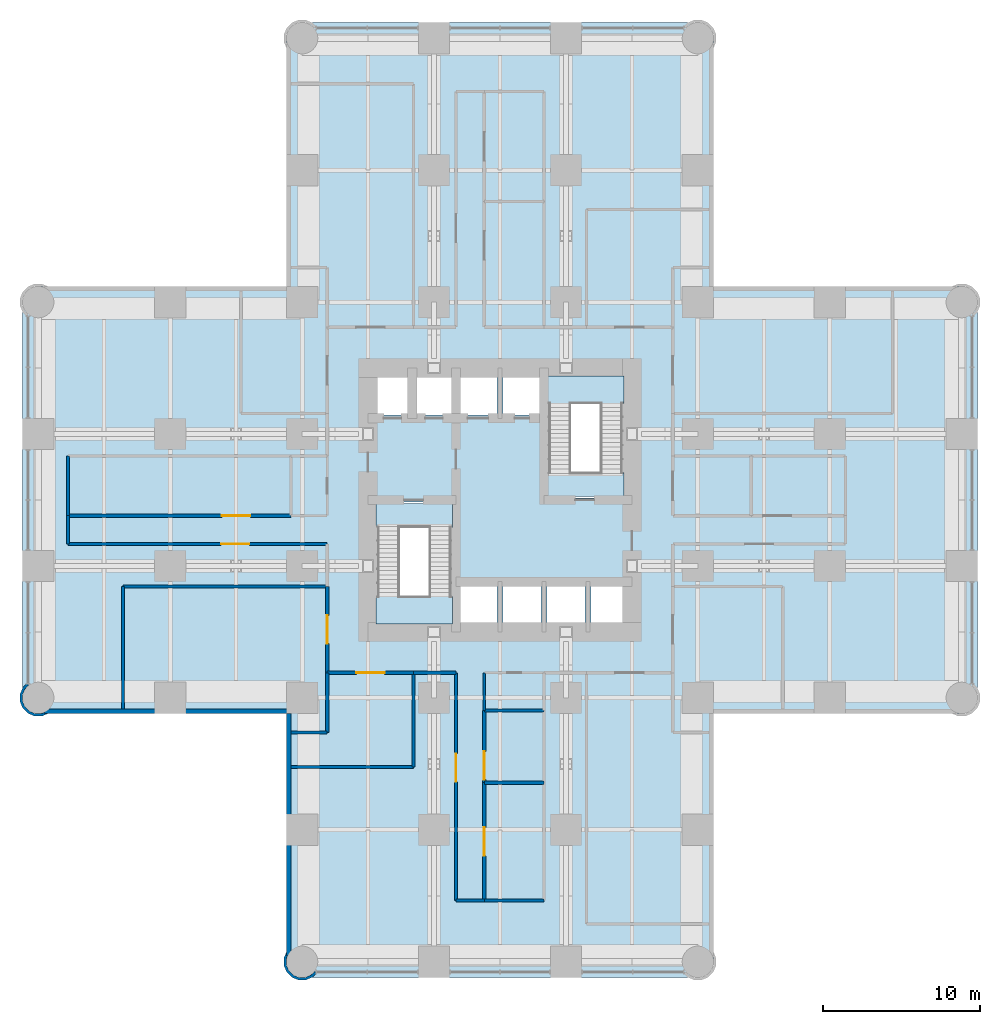
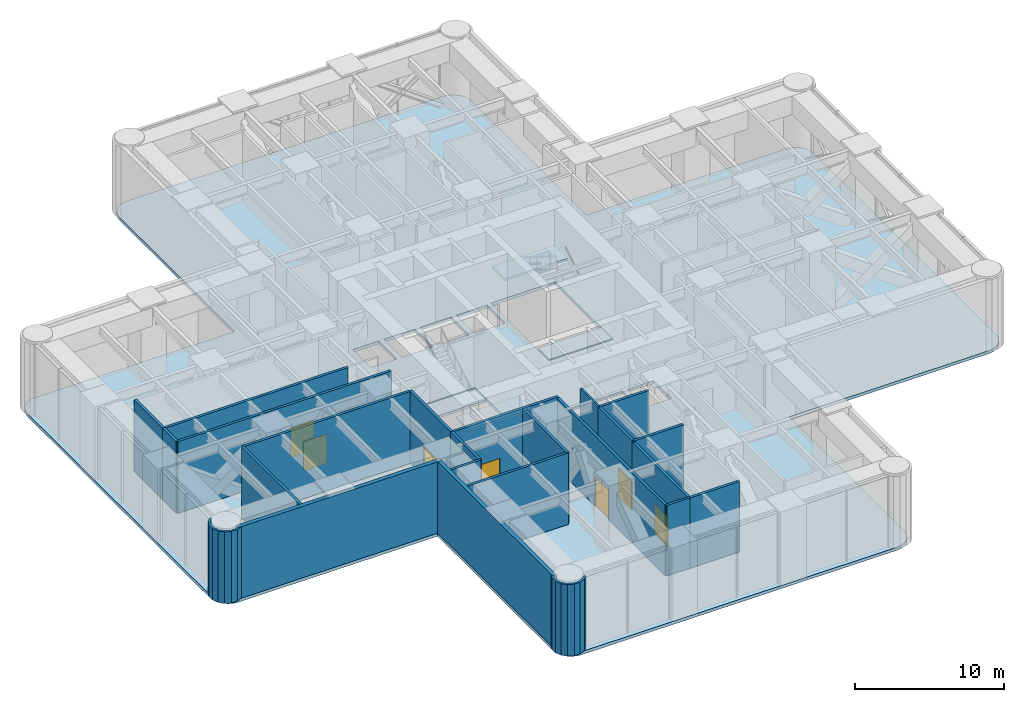
# One storey, part 7 of 12: 25 walls, 7 doors, 5 slabs, 7 openings, 2 elements without a shape of their own.
"""IFC4 building model written with IfcOpenShell, lengths in metres."""

from ifc_helpers import new_model, si_unit, direction, frame, frame_2d, origin, place, context, subcontext, project, spatial, polyline, rectangle, outline, extrude, material, layer, layer_set, type_object, element, fill, aggregate, save


model = new_model("IFC4")

# Units and contexts
model_context = context("Model", 3, precision=1e-05, world=origin(), true_north=direction((0.0, 1.0)))
body_context = subcontext(model_context, "Body", "Model", "MODEL_VIEW")
ifc_project = project(units=[si_unit("LENGTHUNIT", "METRE"), si_unit("AREAUNIT", "SQUARE_METRE"), si_unit("VOLUMEUNIT", "CUBIC_METRE"), si_unit("PLANEANGLEUNIT", "RADIAN"), si_unit("MASSUNIT", "GRAM", prefix="KILO")], contexts=[model_context])

# Site, building, storey
site_placement = place(None, origin())
site = spatial("IfcSite", under=ifc_project, at=site_placement, CompositionType="ELEMENT")
building_placement = place(site_placement, origin())
building = spatial("IfcBuilding", under=site, at=building_placement, Name="Torre Alcanfor", CompositionType="ELEMENT")
storey_placement = place(building_placement, frame((0.0, 0.0, 102.89990234375)))
storey = spatial("IfcBuildingStorey", under=building, at=storey_placement, Name="L26", CompositionType="ELEMENT", Elevation=102.89990234375)

# Slab
ifc_material_1 = material(Name="Concrete f'c 35 MPa", Category="concrete")
ifc_layer_1 = layer(ifc_material_1, 0.25)
ifc_layer_set_1 = layer_set([ifc_layer_1], Name="Floor slab 250")
slab_type_1 = type_object("IfcSlabType", Name="Floor slab 250", PredefinedType="FLOOR", material=ifc_layer_set_1)
slab_1_placement = place(storey_placement, frame((0.0, 0.0, -0.25)))
element("IfcSlab", 1, at=slab_1_placement, inside=storey, type_object=slab_type_1, Name="Floor slab L26", PredefinedType="FLOOR", context=body_context, shape_type="SweptSolid", body=[
    extrude(outline(polyline([(15.800048828125, 43.0), (0.39990234375, 43.0), (0.03759765625, 42.952392578125), (-0.300048828125, 42.8125), (-0.58984375, 42.58984375), (-0.8125, 42.300048828125), (-0.952392578125, 41.96240234375), (-1.0, 41.60009765625), (-1.0, 17.199951171875), (-0.952392578125, 16.837646484375), (-0.8125, 16.5), (-0.58984375, 16.210205078125), (-0.300048828125, 15.987548828125), (0.03759765625, 15.84765625), (0.39990234375, 15.800048828125), (15.800048828125, 15.800048828125), (15.800048828125, 0.39990234375), (15.84765625, 0.03759765625), (15.987548828125, -0.300048828125), (16.210205078125, -0.58984375), (16.5, -0.8125), (16.837646484375, -0.952392578125), (17.199951171875, -1.0), (41.60009765625, -1.0), (41.96240234375, -0.952392578125), (42.300048828125, -0.8125), (42.58984375, -0.58984375), (42.8125, -0.300048828125), (42.952392578125, 0.03759765625), (43.0, 0.39990234375), (43.0, 15.800048828125), (58.39990234375, 15.800048828125), (58.76220703125, 15.84765625), (59.10009765625, 15.987548828125), (59.389892578125, 16.210205078125), (59.6123046875, 16.5), (59.752197265625, 16.837646484375), (59.800048828125, 17.199951171875), (59.800048828125, 41.60009765625), (59.752197265625, 41.96240234375), (59.6123046875, 42.300048828125), (59.389892578125, 42.58984375), (59.10009765625, 42.8125), (58.76220703125, 42.952392578125), (58.39990234375, 43.0), (43.0, 43.0), (43.0, 58.39990234375), (42.952392578125, 58.76220703125), (42.8125, 59.10009765625), (42.58984375, 59.389892578125), (42.300048828125, 59.6123046875), (41.96240234375, 59.752197265625), (41.60009765625, 59.800048828125), (17.199951171875, 59.800048828125), (16.837646484375, 59.752197265625), (16.5, 59.6123046875), (16.210205078125, 59.389892578125), (15.987548828125, 59.10009765625), (15.84765625, 58.76220703125), (15.800048828125, 58.39990234375), (15.800048828125, 43.0)]), holes=[polyline([(21.52001953125, 21.52001953125), (26.47998046875, 21.52001953125), (26.47998046875, 29.280029296875), (21.52001953125, 29.280029296875), (21.52001953125, 21.52001953125)]), polyline([(32.320068359375, 29.52001953125), (37.280029296875, 29.52001953125), (37.280029296875, 37.280029296875), (32.320068359375, 37.280029296875), (32.320068359375, 29.52001953125)]), polyline([(26.800048828125, 21.60009765625), (29.199951171875, 21.60009765625), (29.199951171875, 24.0), (26.800048828125, 24.0), (26.800048828125, 21.60009765625)]), polyline([(29.60009765625, 21.60009765625), (32.0, 21.60009765625), (32.0, 24.0), (29.60009765625, 24.0), (29.60009765625, 21.60009765625)]), polyline([(32.39990234375, 21.60009765625), (34.800048828125, 21.60009765625), (34.800048828125, 24.0), (32.39990234375, 24.0), (32.39990234375, 21.60009765625)]), polyline([(35.199951171875, 21.60009765625), (37.199951171875, 21.60009765625), (37.199951171875, 24.0), (35.199951171875, 24.0), (35.199951171875, 21.60009765625)]), polyline([(21.60009765625, 34.800048828125), (23.60009765625, 34.800048828125), (23.60009765625, 37.199951171875), (21.60009765625, 37.199951171875), (21.60009765625, 34.800048828125)]), polyline([(24.0, 34.800048828125), (26.39990234375, 34.800048828125), (26.39990234375, 37.199951171875), (24.0, 37.199951171875), (24.0, 34.800048828125)]), polyline([(26.800048828125, 34.800048828125), (29.199951171875, 34.800048828125), (29.199951171875, 37.199951171875), (26.800048828125, 37.199951171875), (26.800048828125, 34.800048828125)]), polyline([(29.60009765625, 34.800048828125), (32.0, 34.800048828125), (32.0, 37.199951171875), (29.60009765625, 37.199951171875), (29.60009765625, 34.800048828125)])]), origin(), (0.0, 0.0, 1.0), 0.25),
])

# Stair, slabs
ifc_material_2 = material(Name="Concrete f'c 35 MPa", Category="concrete")
stair_type_1 = type_object("IfcStairType", Name="Exit stair S1 1400 wide", PredefinedType="HALF_TURN_STAIR", material=ifc_material_2)
stair_1_placement = place(storey_placement, origin())
stair_1 = element("IfcStair", 2, at=stair_1_placement, inside=storey, type_object=stair_type_1, Name="Stair S1 L26 to L27", PredefinedType="HALF_TURN_STAIR")
ifc_material_3 = material(Name="Concrete f'c 35 MPa", Category="concrete")
ifc_layer_2 = layer(ifc_material_3, 0.199951171875)
ifc_layer_set_2 = layer_set([ifc_layer_2], Name="Stair landing 200")
slab_type_2 = type_object("IfcSlabType", Name="Stair landing 200", PredefinedType="LANDING", material=ifc_layer_set_2)
slab_2_placement = place(storey_placement, frame((0.0, 0.0, -0.199951171875)))
slab_2 = element("IfcSlab", 3, at=slab_2_placement, type_object=slab_type_2, Name="S1 landing 1", PredefinedType="LANDING", context=body_context, shape_type="SweptSolid", body=[
    extrude(outline(polyline([(21.52001953125, 27.64990234375), (26.3798828125, 27.64990234375), (26.3798828125, 29.179931640625), (21.52001953125, 29.179931640625), (21.52001953125, 27.64990234375)])), origin(), (0.0, 0.0, 1.0), 0.199951171875),
])
slab_3_placement = place(storey_placement, frame((0.0, 0.0, 2.800048828125)))
slab_3 = element("IfcSlab", 4, at=slab_3_placement, type_object=slab_type_2, Name="S1 landing 2", PredefinedType="LANDING", context=body_context, shape_type="SweptSolid", body=[
    extrude(outline(polyline([(21.52001953125, 21.52001953125), (26.3798828125, 21.52001953125), (26.3798828125, 23.27001953125), (21.52001953125, 23.27001953125), (21.52001953125, 21.52001953125)])), origin(), (0.0, 0.0, 1.0), 0.199951171875),
])
aggregate(stair_1, [slab_2, slab_3])

ifc_material_4 = material(Name="Concrete f'c 35 MPa", Category="concrete")
stair_type_2 = type_object("IfcStairType", Name="Exit stair S2 1400 wide", PredefinedType="HALF_TURN_STAIR", material=ifc_material_4)
stair_2_placement = place(storey_placement, origin())
stair_2 = element("IfcStair", 5, at=stair_2_placement, inside=storey, type_object=stair_type_2, Name="Stair S2 L26 to L27", PredefinedType="HALF_TURN_STAIR")
slab_4_placement = place(storey_placement, frame((0.0, 0.0, -0.199951171875)))
slab_4 = element("IfcSlab", 6, at=slab_4_placement, type_object=slab_type_2, Name="S2 landing 1", PredefinedType="LANDING", context=body_context, shape_type="SweptSolid", body=[
    extrude(outline(polyline([(32.419921875, 29.6201171875), (37.280029296875, 29.6201171875), (37.280029296875, 31.14990234375), (32.419921875, 31.14990234375), (32.419921875, 29.6201171875)])), origin(), (0.0, 0.0, 1.0), 0.199951171875),
])
slab_5_placement = place(storey_placement, frame((0.0, 0.0, 2.800048828125)))
slab_5 = element("IfcSlab", 7, at=slab_5_placement, type_object=slab_type_2, Name="S2 landing 2", PredefinedType="LANDING", context=body_context, shape_type="SweptSolid", body=[
    extrude(outline(polyline([(32.419921875, 35.530029296875), (37.280029296875, 35.530029296875), (37.280029296875, 37.280029296875), (32.419921875, 37.280029296875), (32.419921875, 35.530029296875)])), origin(), (0.0, 0.0, 1.0), 0.199951171875),
])
aggregate(stair_2, [slab_4, slab_5])

# Walls
ifc_material_5 = material(Name="Limestone cladding", Category="masonry")
ifc_layer_3 = layer(ifc_material_5, 0.0400390625, Name="Facing")
ifc_material_6 = material(Name="Ventilated air cavity")
ifc_layer_4 = layer(ifc_material_6, 0.02001953125, ventilated=True, Name="Ventilated joint")
ifc_material_7 = material(Name="Mineral wool insulation", Category="insulation")
ifc_layer_5 = layer(ifc_material_7, 0.10009765625, Name="Insulation")
ifc_material_8 = material(Name="Concrete f'c 35 MPa", Category="concrete")
ifc_layer_6 = layer(ifc_material_8, 0.139892578125, Name="Backing")
ifc_layer_set_3 = layer_set([ifc_layer_3, ifc_layer_4, ifc_layer_5, ifc_layer_6], Name="External wall stone-clad 300")
wall_type_1 = type_object("IfcWallType", Name="External wall stone-clad 300", PredefinedType="SOLIDWALL", material=ifc_layer_set_3)
wall_1_placement = place(storey_placement, frame((0.39990234375, 15.949951171875, 0.0), z_axis=(0.0, 0.0, 1.0), x_axis=(1.0, 0.0, 0.0)))
element("IfcWall", 8, at=wall_1_placement, inside=storey, type_object=wall_type_1, Name="External wall L26 3", PredefinedType="SOLIDWALL", context=body_context, shape_type="SweptSolid", body=[
    extrude(rectangle(XDim=15.7001953125, YDim=0.300048828125, at=frame_2d((7.85009765625, 0.0))), origin(), (0.0, 0.0, 1.0), 5.85009765625),
])
wall_2_placement = place(storey_placement, frame((15.949951171875, 15.800048828125, 0.0), z_axis=(0.0, 0.0, 1.0), x_axis=(0.0, -1.0, 0.0)))
element("IfcWall", 9, at=wall_2_placement, inside=storey, type_object=wall_type_1, Name="External wall L26 4", PredefinedType="SOLIDWALL", context=body_context, shape_type="SweptSolid", body=[
    extrude(rectangle(XDim=15.400146484375, YDim=0.300048828125, at=frame_2d((7.7001953125, 0.0))), origin(), (0.0, 0.0, 1.0), 5.85009765625),
])

# Wall, opening, door
ifc_material_9 = material(Name="Concrete block masonry, hollow blocks NMX-C-404 9 MPa", Category="masonry")
ifc_layer_7 = layer(ifc_material_9, 0.199951171875)
ifc_layer_set_4 = layer_set([ifc_layer_7], Name="Plant room wall 200 EI 60")
wall_type_2 = type_object("IfcWallType", Name="Plant room wall 200 EI 60", PredefinedType="PARTITIONING", material=ifc_layer_set_4)
wall_3_placement = place(storey_placement, frame((23.89990234375, 18.39990234375, 0.0), z_axis=(0.0, 0.0, 1.0), x_axis=(-1.0, 0.0, 0.0)))
wall_3 = element("IfcWall", 10, at=wall_3_placement, inside=storey, type_object=wall_type_2, Name="Partition L26-CORR / L26-S1", PredefinedType="PARTITIONING", context=body_context, shape_type="SweptSolid", body=[
    extrude(rectangle(XDim=5.5, YDim=0.199951171875, at=frame_2d((2.75, 0.0))), origin(), (0.0, 0.0, 1.0), 5.85009765625),
])
opening_1_placement = place(wall_3_placement, frame((1.85009765625, 0.0, 0.0)))
opening_1 = element("IfcOpeningElement", 11, at=opening_1_placement, cuts=wall_3, Name="Opening D-P1", PredefinedType="OPENING", context=body_context, shape_type="SweptSolid", body=[
    extrude(rectangle(XDim=1.800048828125, YDim=2.39990234375, at=frame_2d((0.89990234375, 1.199951171875))), frame((0.0, 0.10986328125, 0.0), z_axis=(0.0, -1.0, 0.0), x_axis=(1.0, 0.0, 0.0)), (0.0, 0.0, 1.0), 0.219970703125),
])
ifc_material_10 = material(Name="Galvanised steel sheet ASTM A653", Category="steel")
door_type = type_object("IfcDoorType", Name="Plant room door FD60 1800x2400", OperationType="DOUBLE_DOOR_SINGLE_SWING", PredefinedType="DOOR", material=ifc_material_10)
door_1_placement = place(opening_1_placement, origin())
door_1 = element("IfcDoor", 12, at=door_1_placement, inside=storey, type_object=door_type, Name="Door L26-S1 chilled water heat exchanger room", OperationType="DOUBLE_DOOR_SINGLE_SWING", OverallHeight=2.39990234375, OverallWidth=1.800048828125, PredefinedType="DOOR", context=body_context, shape_type="SweptSolid", body=[
    extrude(rectangle(XDim=1.800048828125, YDim=2.39990234375, at=frame_2d((0.89990234375, 1.199951171875))), frame((0.0, 0.02490234375, 0.0), z_axis=(0.0, -1.0, 0.0), x_axis=(1.0, 0.0, 0.0)), (0.0, 0.0, 1.0), 0.050048828125),
])
fill(opening_1, door_1)

# Wall
wall_4_placement = place(storey_placement, frame((26.60009765625, 18.39990234375, 0.0), z_axis=(0.0, 0.0, 1.0), x_axis=(-1.0, 0.0, 0.0)))
element("IfcWall", 13, at=wall_4_placement, inside=storey, type_object=wall_type_2, Name="Partition L26-CORR / L26-SH", PredefinedType="PARTITIONING", context=body_context, shape_type="SweptSolid", body=[
    extrude(rectangle(XDim=2.7001953125, YDim=0.199951171875, at=frame_2d((1.35009765625, 0.0))), origin(), (0.0, 0.0, 1.0), 5.85009765625),
])

# Wall, opening, door
wall_5_placement = place(storey_placement, frame((18.39990234375, 18.39990234375, 0.0), z_axis=(0.0, 0.0, 1.0), x_axis=(0.0, 1.0, 0.0)))
wall_5 = element("IfcWall", 14, at=wall_5_placement, inside=storey, type_object=wall_type_2, Name="Partition L26-CORR / L26-W1", PredefinedType="PARTITIONING", context=body_context, shape_type="SweptSolid", body=[
    extrude(rectangle(XDim=5.5, YDim=0.199951171875, at=frame_2d((2.75, 0.0))), origin(), (0.0, 0.0, 1.0), 5.85009765625),
])
opening_2_placement = place(wall_5_placement, frame((1.85009765625, 0.0, 0.0)))
opening_2 = element("IfcOpeningElement", 15, at=opening_2_placement, cuts=wall_5, Name="Opening D-P1", PredefinedType="OPENING", context=body_context, shape_type="SweptSolid", body=[
    extrude(rectangle(XDim=1.800048828125, YDim=2.39990234375, at=frame_2d((0.89990234375, 1.199951171875))), frame((0.0, 0.10986328125, 0.0), z_axis=(0.0, -1.0, 0.0), x_axis=(1.0, 0.0, 0.0)), (0.0, 0.0, 1.0), 0.219970703125),
])
door_2_placement = place(opening_2_placement, origin())
door_2 = element("IfcDoor", 16, at=door_2_placement, inside=storey, type_object=door_type, Name="Door L26-W1 smoke extract fan plant room", OperationType="DOUBLE_DOOR_SINGLE_SWING", OverallHeight=2.39990234375, OverallWidth=1.800048828125, PredefinedType="DOOR", context=body_context, shape_type="SweptSolid", body=[
    extrude(rectangle(XDim=1.800048828125, YDim=2.39990234375, at=frame_2d((0.89990234375, 1.199951171875))), frame((0.0, 0.02490234375, 0.0), z_axis=(0.0, -1.0, 0.0), x_axis=(1.0, 0.0, 0.0)), (0.0, 0.0, 1.0), 0.050048828125),
])
fill(opening_2, door_2)

# Walls
wall_6_placement = place(storey_placement, frame((23.89990234375, 18.39990234375, 0.0), z_axis=(0.0, 0.0, 1.0), x_axis=(0.0, -1.0, 0.0)))
element("IfcWall", 17, at=wall_6_placement, inside=storey, type_object=wall_type_2, Name="Partition L26-S1 / L26-SH", PredefinedType="PARTITIONING", context=body_context, shape_type="SweptSolid", body=[
    extrude(rectangle(XDim=6.0, YDim=0.199951171875, at=frame_2d((3.0, 0.0))), origin(), (0.0, 0.0, 1.0), 5.85009765625),
])
wall_7_placement = place(storey_placement, frame((23.89990234375, 12.39990234375, 0.0), z_axis=(0.0, 0.0, 1.0), x_axis=(-1.0, 0.0, 0.0)))
element("IfcWall", 18, at=wall_7_placement, inside=storey, type_object=wall_type_2, Name="Partition L26-S1 / L26-SH", PredefinedType="PARTITIONING", context=body_context, shape_type="SweptSolid", body=[
    extrude(rectangle(XDim=7.7998046875, YDim=0.199951171875, at=frame_2d((3.89990234375, 0.0))), origin(), (0.0, 0.0, 1.0), 5.85009765625),
])
wall_8_placement = place(storey_placement, frame((16.10009765625, 14.60009765625, 0.0), z_axis=(0.0, 0.0, 1.0), x_axis=(1.0, 0.0, 0.0)))
element("IfcWall", 19, at=wall_8_placement, inside=storey, type_object=wall_type_2, Name="Partition L26-S1 / L26-W1", PredefinedType="PARTITIONING", context=body_context, shape_type="SweptSolid", body=[
    extrude(rectangle(XDim=2.2998046875, YDim=0.199951171875, at=frame_2d((1.14990234375, 0.0))), origin(), (0.0, 0.0, 1.0), 5.85009765625),
])
wall_9_placement = place(storey_placement, frame((18.39990234375, 14.60009765625, 0.0), z_axis=(0.0, 0.0, 1.0), x_axis=(0.0, 1.0, 0.0)))
element("IfcWall", 20, at=wall_9_placement, inside=storey, type_object=wall_type_2, Name="Partition L26-S1 / L26-W1", PredefinedType="PARTITIONING", context=body_context, shape_type="SweptSolid", body=[
    extrude(rectangle(XDim=3.7998046875, YDim=0.199951171875, at=frame_2d((1.89990234375, 0.0))), origin(), (0.0, 0.0, 1.0), 5.85009765625),
])

# Wall, opening, door
wall_10_placement = place(storey_placement, frame((28.39990234375, 16.0, 0.0), z_axis=(0.0, 0.0, 1.0), x_axis=(0.0, -1.0, 0.0)))
wall_10 = element("IfcWall", 21, at=wall_10_placement, inside=storey, type_object=wall_type_2, Name="Partition L26-SC / L26-S4", PredefinedType="PARTITIONING", context=body_context, shape_type="SweptSolid", body=[
    extrude(rectangle(XDim=4.60009765625, YDim=0.199951171875, at=frame_2d((2.300048828125, 0.0))), origin(), (0.0, 0.0, 1.0), 5.85009765625),
])
opening_3_placement = place(wall_10_placement, frame((2.60009765625, 0.0, 0.0)))
opening_3 = element("IfcOpeningElement", 22, at=opening_3_placement, cuts=wall_10, Name="Opening D-P1", PredefinedType="OPENING", context=body_context, shape_type="SweptSolid", body=[
    extrude(rectangle(XDim=1.800048828125, YDim=2.39990234375, at=frame_2d((0.89990234375, 1.199951171875))), frame((0.0, 0.10986328125, 0.0), z_axis=(0.0, -1.0, 0.0), x_axis=(1.0, 0.0, 0.0)), (0.0, 0.0, 1.0), 0.219970703125),
])
door_3_placement = place(opening_3_placement, origin())
door_3 = element("IfcDoor", 23, at=door_3_placement, inside=storey, type_object=door_type, Name="Door L26-S4 water meter room", OperationType="DOUBLE_DOOR_SINGLE_SWING", OverallHeight=2.39990234375, OverallWidth=1.800048828125, PredefinedType="DOOR", context=body_context, shape_type="SweptSolid", body=[
    extrude(rectangle(XDim=1.800048828125, YDim=2.39990234375, at=frame_2d((0.89990234375, 1.199951171875))), frame((0.0, 0.02490234375, 0.0), z_axis=(0.0, -1.0, 0.0), x_axis=(1.0, 0.0, 0.0)), (0.0, 0.0, 1.0), 0.050048828125),
])
fill(opening_3, door_3)

wall_11_placement = place(storey_placement, frame((28.39990234375, 11.39990234375, 0.0), z_axis=(0.0, 0.0, 1.0), x_axis=(0.0, -1.0, 0.0)))
wall_11 = element("IfcWall", 24, at=wall_11_placement, inside=storey, type_object=wall_type_2, Name="Partition L26-SC / L26-S5", PredefinedType="PARTITIONING", context=body_context, shape_type="SweptSolid", body=[
    extrude(rectangle(XDim=7.5, YDim=0.199951171875, at=frame_2d((3.75, 0.0))), origin(), (0.0, 0.0, 1.0), 5.75),
])
opening_4_placement = place(wall_11_placement, frame((2.85009765625, 0.0, 0.0)))
opening_4 = element("IfcOpeningElement", 25, at=opening_4_placement, cuts=wall_11, Name="Opening D-P1", PredefinedType="OPENING", context=body_context, shape_type="SweptSolid", body=[
    extrude(rectangle(XDim=1.800048828125, YDim=2.39990234375, at=frame_2d((0.89990234375, 1.199951171875))), frame((0.0, 0.10986328125, 0.0), z_axis=(0.0, -1.0, 0.0), x_axis=(1.0, 0.0, 0.0)), (0.0, 0.0, 1.0), 0.219970703125),
])
door_4_placement = place(opening_4_placement, origin())
door_4 = element("IfcDoor", 26, at=door_4_placement, inside=storey, type_object=door_type, Name="Door L26-S5 plant store", OperationType="DOUBLE_DOOR_SINGLE_SWING", OverallHeight=2.39990234375, OverallWidth=1.800048828125, PredefinedType="DOOR", context=body_context, shape_type="SweptSolid", body=[
    extrude(rectangle(XDim=1.800048828125, YDim=2.39990234375, at=frame_2d((0.89990234375, 1.199951171875))), frame((0.0, 0.02490234375, 0.0), z_axis=(0.0, -1.0, 0.0), x_axis=(1.0, 0.0, 0.0)), (0.0, 0.0, 1.0), 0.050048828125),
])
fill(opening_4, door_4)

# Wall
wall_12_placement = place(storey_placement, frame((28.39990234375, 3.89990234375, 0.0), z_axis=(0.0, 0.0, 1.0), x_axis=(-1.0, 0.0, 0.0)))
element("IfcWall", 27, at=wall_12_placement, inside=storey, type_object=wall_type_2, Name="Partition L26-SC / L26-SH", PredefinedType="PARTITIONING", context=body_context, shape_type="SweptSolid", body=[
    extrude(rectangle(XDim=1.7998046875, YDim=0.199951171875, at=frame_2d((0.89990234375, 0.0))), origin(), (0.0, 0.0, 1.0), 5.75),
])

# Wall, opening, door
wall_13_placement = place(storey_placement, frame((26.60009765625, 3.89990234375, 0.0), z_axis=(0.0, 0.0, 1.0), x_axis=(0.0, 1.0, 0.0)))
wall_13 = element("IfcWall", 28, at=wall_13_placement, inside=storey, type_object=wall_type_2, Name="Partition L26-SC / L26-SH", PredefinedType="PARTITIONING", context=body_context, shape_type="SweptSolid", body=[
    extrude(rectangle(XDim=14.5, YDim=0.199951171875, at=frame_2d((7.25, 0.0))), origin(), (0.0, 0.0, 1.0), 5.75),
])
opening_5_placement = place(wall_13_placement, frame((7.550048828125, 0.0, 0.0)))
opening_5 = element("IfcOpeningElement", 29, at=opening_5_placement, cuts=wall_13, Name="Opening D-P1", PredefinedType="OPENING", context=body_context, shape_type="SweptSolid", body=[
    extrude(rectangle(XDim=1.800048828125, YDim=2.39990234375, at=frame_2d((0.89990234375, 1.199951171875))), frame((0.0, 0.10986328125, 0.0), z_axis=(0.0, -1.0, 0.0), x_axis=(1.0, 0.0, 0.0)), (0.0, 0.0, 1.0), 0.219970703125),
])
door_5_placement = place(opening_5_placement, origin())
door_5 = element("IfcDoor", 30, at=door_5_placement, inside=storey, type_object=door_type, Name="Door L26-SH air handling plant room", OperationType="DOUBLE_DOOR_SINGLE_SWING", OverallHeight=2.39990234375, OverallWidth=1.800048828125, PredefinedType="DOOR", context=body_context, shape_type="SweptSolid", body=[
    extrude(rectangle(XDim=1.800048828125, YDim=2.39990234375, at=frame_2d((0.89990234375, 1.199951171875))), frame((0.0, 0.02490234375, 0.0), z_axis=(0.0, -1.0, 0.0), x_axis=(1.0, 0.0, 0.0)), (0.0, 0.0, 1.0), 0.050048828125),
])
fill(opening_5, door_5)

# Walls
for number, where, z_axis, x_axis, name in (
    (31, (32.199951171875, 16.0, 0.0), (0.0, 0.0, 1.0), (-1.0, 0.0, 0.0), "Partition L26-S3 / L26-S4"),
    (32, (32.199951171875, 11.39990234375, 0.0), (0.0, 0.0, 1.0), (-1.0, 0.0, 0.0), "Partition L26-S4 / L26-S5"),
):
    element("IfcWall", number, at=place(storey_placement, frame(where, z_axis=z_axis, x_axis=x_axis)), inside=storey, type_object=wall_type_2, Name=name, PredefinedType="PARTITIONING", context=body_context, shape_type="SweptSolid", body=[
        extrude(rectangle(XDim=3.800048828125, YDim=0.199951171875, at=frame_2d((1.89990234375, 0.0))), origin(), (0.0, 0.0, 1.0), 5.85009765625),
    ])
wall_14_placement = place(storey_placement, frame((32.199951171875, 3.89990234375, 0.0), z_axis=(0.0, 0.0, 1.0), x_axis=(-1.0, 0.0, 0.0)))
element("IfcWall", 33, at=wall_14_placement, inside=storey, type_object=wall_type_2, Name="Partition L26-S5 / L26-SH", PredefinedType="PARTITIONING", context=body_context, shape_type="SweptSolid", body=[
    extrude(rectangle(XDim=3.800048828125, YDim=0.199951171875, at=frame_2d((1.89990234375, 0.0))), origin(), (0.0, 0.0, 1.0), 5.75),
])
wall_15_placement = place(storey_placement, frame((5.39990234375, 16.10009765625, 0.0), z_axis=(0.0, 0.0, 1.0), x_axis=(0.0, 1.0, 0.0)))
element("IfcWall", 34, at=wall_15_placement, inside=storey, type_object=wall_type_2, Name="Partition L26-W1 / L26-WH", PredefinedType="PARTITIONING", context=body_context, shape_type="SweptSolid", body=[
    extrude(rectangle(XDim=7.7998046875, YDim=0.199951171875, at=frame_2d((3.89990234375, 0.0))), origin(), (0.0, 0.0, 1.0), 5.85009765625),
])
wall_16_placement = place(storey_placement, frame((5.39990234375, 23.89990234375, 0.0), z_axis=(0.0, 0.0, 1.0), x_axis=(1.0, 0.0, 0.0)))
element("IfcWall", 35, at=wall_16_placement, inside=storey, type_object=wall_type_2, Name="Partition L26-W1 / L26-WH", PredefinedType="PARTITIONING", context=body_context, shape_type="SweptSolid", body=[
    extrude(rectangle(XDim=13.0, YDim=0.199951171875, at=frame_2d((6.5, 0.0))), origin(), (0.0, 0.0, 1.0), 5.85009765625),
])

# Wall, opening, door
wall_17_placement = place(storey_placement, frame((1.89990234375, 28.39990234375, 0.0), z_axis=(0.0, 0.0, 1.0), x_axis=(1.0, 0.0, 0.0)))
wall_17 = element("IfcWall", 36, at=wall_17_placement, inside=storey, type_object=wall_type_2, Name="Partition L26-WC / L26-REF", PredefinedType="PARTITIONING", context=body_context, shape_type="SweptSolid", body=[
    extrude(rectangle(XDim=14.2001953125, YDim=0.199951171875, at=frame_2d((7.10009765625, 0.0))), origin(), (0.0, 0.0, 1.0), 5.85009765625),
])
opening_6_placement = place(wall_17_placement, frame((9.800048828125, 0.0, 0.0)))
opening_6 = element("IfcOpeningElement", 37, at=opening_6_placement, cuts=wall_17, Name="Opening D-P1", PredefinedType="OPENING", context=body_context, shape_type="SweptSolid", body=[
    extrude(rectangle(XDim=1.800048828125, YDim=2.39990234375, at=frame_2d((0.89990234375, 1.199951171875))), frame((0.0, 0.10986328125, 0.0), z_axis=(0.0, -1.0, 0.0), x_axis=(1.0, 0.0, 0.0)), (0.0, 0.0, 1.0), 0.219970703125),
])
door_6_placement = place(opening_6_placement, frame((1.800048828125, 0.0, 0.0), z_axis=(0.0, 0.0, 1.0), x_axis=(-1.0, 0.0, 0.0)))
door_6 = element("IfcDoor", 38, at=door_6_placement, inside=storey, type_object=door_type, Name="Door L26-REF refuge area", OperationType="DOUBLE_DOOR_SINGLE_SWING", OverallHeight=2.39990234375, OverallWidth=1.800048828125, PredefinedType="DOOR", context=body_context, shape_type="SweptSolid", body=[
    extrude(rectangle(XDim=1.800048828125, YDim=2.39990234375, at=frame_2d((0.900146484375, 1.199951171875))), frame((0.0, 0.025146484375, 0.0), z_axis=(0.0, -1.0, 0.0), x_axis=(1.0, 0.0, 0.0)), (0.0, 0.0, 1.0), 0.050048828125),
])
fill(opening_6, door_6)

wall_18_placement = place(storey_placement, frame((18.39990234375, 26.60009765625, 0.0), z_axis=(0.0, 0.0, 1.0), x_axis=(-1.0, 0.0, 0.0)))
wall_18 = element("IfcWall", 39, at=wall_18_placement, inside=storey, type_object=wall_type_2, Name="Partition L26-WC / L26-WH", PredefinedType="PARTITIONING", context=body_context, shape_type="SweptSolid", body=[
    extrude(rectangle(XDim=16.5, YDim=0.199951171875, at=frame_2d((8.25, 0.0))), origin(), (0.0, 0.0, 1.0), 5.85009765625),
])
opening_7_placement = place(wall_18_placement, frame((4.949951171875, 0.0, 0.0)))
opening_7 = element("IfcOpeningElement", 40, at=opening_7_placement, cuts=wall_18, Name="Opening D-P1", PredefinedType="OPENING", context=body_context, shape_type="SweptSolid", body=[
    extrude(rectangle(XDim=1.800048828125, YDim=2.39990234375, at=frame_2d((0.89990234375, 1.199951171875))), frame((0.0, 0.10986328125, 0.0), z_axis=(0.0, -1.0, 0.0), x_axis=(1.0, 0.0, 0.0)), (0.0, 0.0, 1.0), 0.219970703125),
])
door_7_placement = place(opening_7_placement, origin())
door_7 = element("IfcDoor", 41, at=door_7_placement, inside=storey, type_object=door_type, Name="Door L26-WH air handling plant room", OperationType="DOUBLE_DOOR_SINGLE_SWING", OverallHeight=2.39990234375, OverallWidth=1.800048828125, PredefinedType="DOOR", context=body_context, shape_type="SweptSolid", body=[
    extrude(rectangle(XDim=1.800048828125, YDim=2.39990234375, at=frame_2d((0.89990234375, 1.199951171875))), frame((0.0, 0.02490234375, 0.0), z_axis=(0.0, -1.0, 0.0), x_axis=(1.0, 0.0, 0.0)), (0.0, 0.0, 1.0), 0.050048828125),
])
fill(opening_7, door_7)

# Walls
wall_19_placement = place(storey_placement, frame((1.89990234375, 26.60009765625, 0.0), z_axis=(0.0, 0.0, 1.0), x_axis=(0.0, 1.0, 0.0)))
element("IfcWall", 42, at=wall_19_placement, inside=storey, type_object=wall_type_2, Name="Partition L26-WC / L26-WH", PredefinedType="PARTITIONING", context=body_context, shape_type="SweptSolid", body=[
    extrude(rectangle(XDim=1.7998046875, YDim=0.199951171875, at=frame_2d((0.89990234375, 0.0))), origin(), (0.0, 0.0, 1.0), 5.85009765625),
])
wall_20_placement = place(storey_placement, frame((1.89990234375, 28.39990234375, 0.0), z_axis=(0.0, 0.0, 1.0), x_axis=(0.0, 1.0, 0.0)))
element("IfcWall", 43, at=wall_20_placement, inside=storey, type_object=wall_type_2, Name="Partition L26-REF / L26-WH", PredefinedType="PARTITIONING", context=body_context, shape_type="SweptSolid", body=[
    extrude(rectangle(XDim=3.800048828125, YDim=0.199951171875, at=frame_2d((1.89990234375, 0.0))), origin(), (0.0, 0.0, 1.0), 5.85009765625),
])
ifc_layer_8 = layer(ifc_material_5, 0.0400390625, Name="Facing")
ifc_layer_9 = layer(ifc_material_6, 0.02001953125, ventilated=True, Name="Ventilated joint")
ifc_layer_10 = layer(ifc_material_7, 0.10009765625, Name="Insulation")
ifc_layer_11 = layer(ifc_material_8, 0.139892578125, Name="Backing")
ifc_layer_set_5 = layer_set([ifc_layer_8, ifc_layer_9, ifc_layer_10, ifc_layer_11], Name="Rounded corner pier stone-clad 300")
wall_type_3 = type_object("IfcWallType", Name="Rounded corner pier stone-clad 300", PredefinedType="SOLIDWALL", material=ifc_layer_set_5)
wall_21_placement = place(storey_placement, frame((-0.714370029, 17.609984852, 0.0), z_axis=(0.0, 0.0, 1.0), x_axis=(-0.82944431473, -0.558589409818, 0.0)))
element("IfcWall", 44, at=wall_21_placement, inside=storey, type_object=wall_type_3, Name="Corner pier L26 14", PredefinedType="SOLIDWALL", context=body_context, shape_type="SweptSolid", body=[
    extrude(outline(polyline([(0.08678421074683051, 2.1236618921003902), (0.028717386360183728, 2.0579811123683176), (0.25378557411296787, 2.012372166120933), (0.5842672932633792, 1.789809198146387), (0.804136274283234, 1.4580687431711896), (0.8805828440288979, 1.0672090083531443), (0.8014273293305011, 0.6769423154758241), (0.5790007357235869, 0.3466630973788137), (0.2471239063807578, 0.1265916153055579), (-0.028720686339655847, 0.07276449308916412), (-0.08790716189171027, -0.015120964086864391), (0.010710851114570562, -0.08153528112338629), (0.3085823462020934, -0.023409924331973364), (0.6931002536955396, 0.23155824710860368), (0.9508478085190024, 0.6142852380364698), (1.0426855671622524, 1.0666532461255416), (0.9541378139207652, 1.5195271829925252), (0.6993060168478198, 1.9042475915393724), (0.3165790259199537, 2.1619951463628353), (-0.09323922572664722, 2.24489870492476), (0.08678421074683051, 2.1236618921003902)])), origin(), (0.0, 0.0, 1.0), 5.85009765625),
])
wall_22_placement = place(storey_placement, frame((15.880872367, 0.56710175, 0.0), z_axis=(0.0, 0.0, 1.0), x_axis=(-0.558589409818, -0.82944431473, 0.0)))
element("IfcWall", 45, at=wall_22_placement, inside=storey, type_object=wall_type_3, Name="Corner pier L26 15", PredefinedType="SOLIDWALL", context=body_context, shape_type="SweptSolid", body=[
    extrude(outline(polyline([(0.06832487273350851, 2.077254591854148), (0.34416946545392213, 2.0234274696377543), (0.6760462947967512, 1.8033559875644984), (0.8984728884036653, 1.4730767694674882), (0.9776284031020623, 1.082810076590168), (0.9011818333563983, 0.6919503417721227), (0.6813128523365436, 0.360209886796925), (0.3508311331861322, 0.13764691882237934), (0.12576294543334793, 0.09203797257499446), (0.18382976981999471, 0.026357192842921665), (0.003806333346516977, -0.0948796199814479), (0.41362458499311794, -0.01197606141952301), (0.796351575920984, 0.24577149340393983), (1.0511833729939297, 0.630491901950787), (1.1397311262354166, 1.0833658388177707), (1.0478933675921667, 1.5357338469068424), (0.790145812768704, 1.9184608378347086), (0.4056279052752577, 2.1734290092752855), (0.10775641018773485, 2.2315543660666988), (0.009138397181454039, 2.1651400490301764), (0.06832487273350851, 2.077254591854148)])), origin(), (0.0, 0.0, 1.0), 5.85009765625),
])
ifc_material_11 = material(Name="Cement board on steel studs", Category="steel")
ifc_layer_12 = layer(ifc_material_11, 0.14990234375)
ifc_layer_set_6 = layer_set([ifc_layer_12], Name="Wet area partition 150")
wall_type_4 = type_object("IfcWallType", Name="Wet area partition 150", PredefinedType="PARTITIONING", material=ifc_layer_set_6)
wall_23_placement = place(storey_placement, frame((28.39990234375, 18.39990234375, 0.0), z_axis=(0.0, 0.0, 1.0), x_axis=(0.0, -1.0, 0.0)))
element("IfcWall", 46, at=wall_23_placement, inside=storey, type_object=wall_type_4, Name="Partition L26-SC / L26-S3", PredefinedType="PARTITIONING", context=body_context, shape_type="SweptSolid", body=[
    extrude(rectangle(XDim=2.39990234375, YDim=0.14990234375, at=frame_2d((1.199951171875, 0.0))), origin(), (0.0, 0.0, 1.0), 5.85009765625),
])

save(model, "model.ifc")
